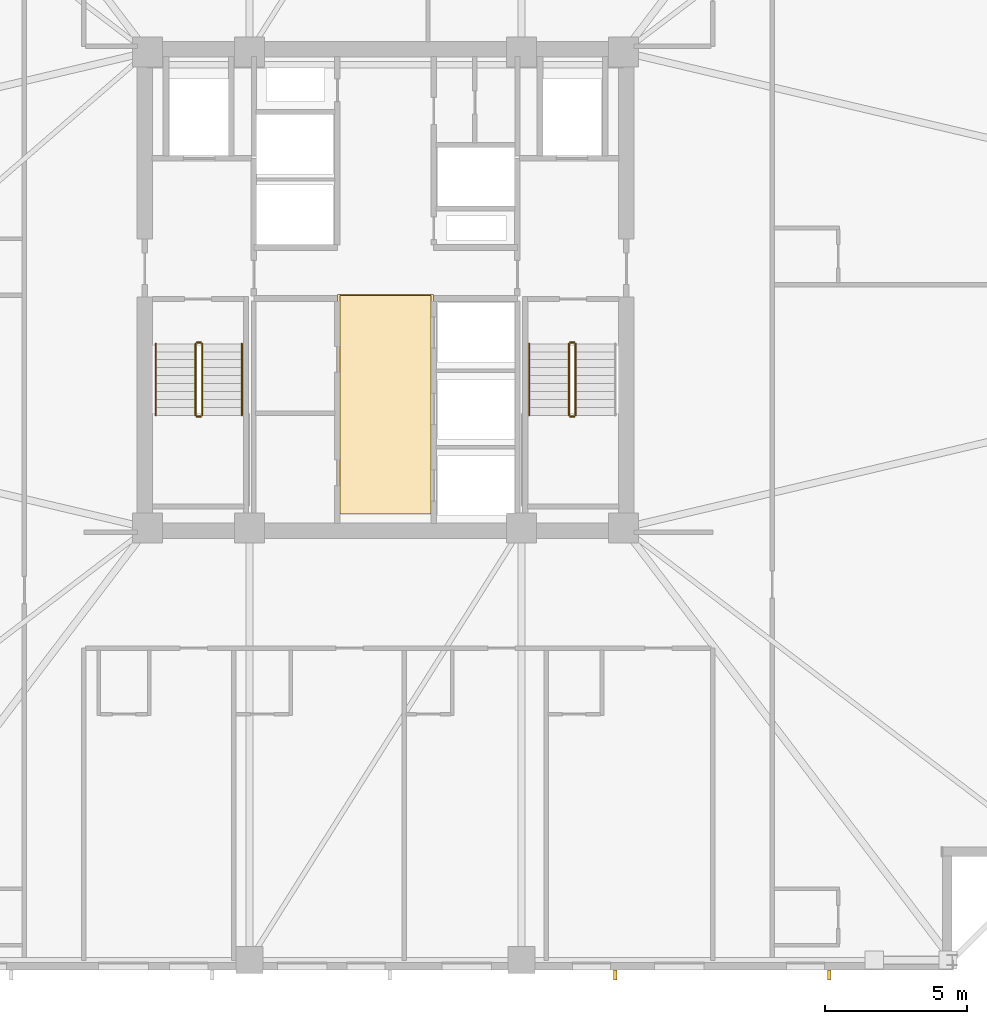
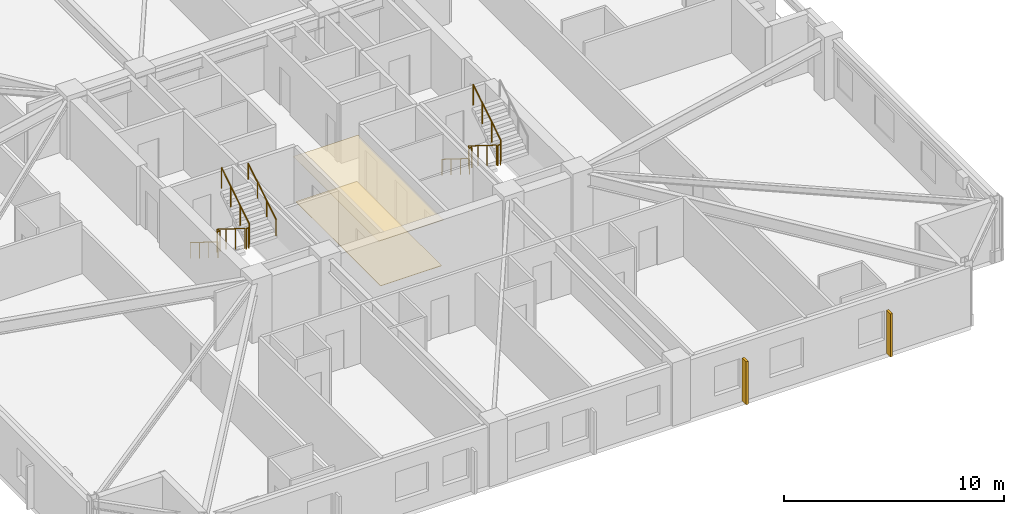
# One storey, part 8 of 11: 11 railings, 2 coverings, 2 shading devices.
"""IFC4 building model written with IfcOpenShell, lengths in metres."""

from ifc_helpers import new_model, si_unit, direction, frame, origin, origin_2d, place, context, subcontext, project, spatial, polyline, rectangle, circle, outline, extrude, material, layer, layer_set, type_object, element, save


model = new_model("IFC4")

# Units and contexts
model_context = context("Model", 3, precision=1e-05, world=origin(), true_north=direction((0.0, 1.0)))
body_context = subcontext(model_context, "Body", "Model", "MODEL_VIEW")
ifc_project = project(units=[si_unit("LENGTHUNIT", "METRE"), si_unit("AREAUNIT", "SQUARE_METRE"), si_unit("VOLUMEUNIT", "CUBIC_METRE"), si_unit("PLANEANGLEUNIT", "RADIAN"), si_unit("MASSUNIT", "GRAM", prefix="KILO")], contexts=[model_context])

# Site, building, storey
site_placement = place(None, origin())
site = spatial("IfcSite", under=ifc_project, at=site_placement, CompositionType="ELEMENT")
building_placement = place(site_placement, origin())
building = spatial("IfcBuilding", under=site, at=building_placement, Name="Cairnveth Concourse Tower", CompositionType="ELEMENT")
storey_placement = place(building_placement, frame((0.0, 0.0, 190.0)))
storey = spatial("IfcBuildingStorey", under=building, at=storey_placement, Name="L52", CompositionType="ELEMENT", Elevation=190.0)

# Covering
ifc_material_1 = material(Name="Acoustic Mineral Fibre Ceiling", Category="gypsum")
ifc_layer_1 = layer(ifc_material_1, 0.02490234375)
ifc_layer_set_1 = layer_set([ifc_layer_1], Name="Acoustic Mineral Fibre Ceiling")
covering_type_1 = type_object("IfcCoveringType", Name="ACOUSTIC MINERAL FIBRE CEILING 25", PredefinedType="CEILING", material=ifc_layer_set_1)
covering_1_placement = place(storey_placement, frame((0.0, 0.0, 2.5)))
element("IfcCovering", 1, at=covering_1_placement, inside=storey, type_object=covering_type_1, Name="Lift Lobby Acoustic Ceiling L52", PredefinedType="CEILING", context=body_context, shape_type="SweptSolid", body=[
    extrude(outline(polyline([(50.300048828125, 31.10009765625), (53.699951171875, 31.10009765625), (53.699951171875, 38.85009765625), (50.300048828125, 38.85009765625), (50.300048828125, 31.10009765625)])), origin(), (0.0, 0.0, 1.0), 0.02490234375),
])

# Shading devices
ifc_material_2 = material(Name="Architectural Bronze Anodised Aluminium 6063-T6", Category="aluminium")
shading_device_type = type_object("IfcShadingDeviceType", Name="GOTHIC BRONZE VERTICAL LANCET FIN", PredefinedType="USERDEFINED", material=ifc_material_2)
for number, where, z_axis, x_axis, name in (
    (2, (67.658203125, 14.824951171875, 0.030029296875), (0.0, 0.0, 1.0), (1.0, 0.0, 0.0), "Gothic Bronze Vertical Fin L52-3-1"),
    (3, (60.10107421875, 14.824951171875, 0.030029296875), (0.0, 0.0, 1.0), (1.0, 0.0, 0.0), "Gothic Bronze Vertical Fin L52-3-3"),
):
    element("IfcShadingDevice", number, at=place(storey_placement, frame(where, z_axis=z_axis, x_axis=x_axis)), inside=storey, type_object=shading_device_type, Name=name, ObjectType="VERTICAL FIN", PredefinedType="USERDEFINED", context=body_context, shape_type="SweptSolid", body=[
        extrude(rectangle(XDim=0.1201171875, YDim=0.360107421875, at=origin_2d()), origin(), (0.0, 0.0, 1.0), 2.3798828125),
    ])

# Railings
ifc_material_3 = material(Name="Steel Grade 350", Category="steel")
railing_type_1 = type_object("IfcRailingType", Name="STAIR GUARDRAIL 1150", PredefinedType="GUARDRAIL", material=ifc_material_3)
railing_1_placement = place(storey_placement, frame((45.2900390625, 37.10009765625, 0.175048828125)))
element("IfcRailing", 4, at=railing_1_placement, inside=storey, type_object=railing_type_1, Name="L52 ST-1 stair guard 1", PredefinedType="GUARDRAIL", context=body_context, shape_type="SweptSolid", body=[
    extrude(circle(Radius=0.02392578125, at=origin_2d()), frame((0.0, 0.0, 1.1259765625), z_axis=(0.0, -0.848007534815, 0.529984170421), x_axis=(1.0, 0.0, 0.0)), (0.0, 0.0, 1.0), 2.9716796875),
    extrude(circle(Radius=0.02099609375, at=origin_2d()), origin(), (0.0, 0.0, 1.0), 1.101806640625),
    extrude(circle(Radius=0.02099609375, at=origin_2d()), frame((0.0, -0.840087890625, 0.52490234375)), (0.0, 0.0, 1.0), 1.101806640625),
    extrude(circle(Radius=0.02099609375, at=origin_2d()), frame((0.0, -1.679931640625, 1.050048828125)), (0.0, 0.0, 1.0), 1.101806640625),
    extrude(circle(Radius=0.02099609375, at=origin_2d()), frame((0.0, -2.52001953125, 1.574951171875)), (0.0, 0.0, 1.0), 1.101806640625),
])
railing_2_placement = place(storey_placement, frame((45.340087890625, 34.530029296875, 1.75)))
element("IfcRailing", 5, at=railing_2_placement, inside=storey, type_object=railing_type_1, Name="L52 ST-1 stair guard 2", PredefinedType="GUARDRAIL", context=body_context, shape_type="SweptSolid", body=[
    extrude(circle(Radius=0.02392578125, at=origin_2d()), frame((0.0, 0.0, 1.1259765625), z_axis=(1.0, 0.0, 0.0), x_axis=(0.0, 1.0, 0.0)), (0.0, 0.0, 1.0), 0.139892578125),
    extrude(circle(Radius=0.02099609375, at=origin_2d()), origin(), (0.0, 0.0, 1.0), 1.101806640625),
    extrude(circle(Radius=0.02099609375, at=origin_2d()), frame((0.139892578125, 0.0, 0.0)), (0.0, 0.0, 1.0), 1.101806640625),
])
railing_3_placement = place(storey_placement, frame((45.530029296875, 34.580078125, 1.925048828125)))
element("IfcRailing", 6, at=railing_3_placement, inside=storey, type_object=railing_type_1, Name="L52 ST-1 stair guard 3", PredefinedType="GUARDRAIL", context=body_context, shape_type="SweptSolid", body=[
    extrude(circle(Radius=0.02392578125, at=origin_2d()), frame((0.0, 0.0, 1.1259765625), z_axis=(0.0, 0.848007534815, 0.529984170421), x_axis=(-1.0, 0.0, 0.0)), (0.0, 0.0, 1.0), 2.9716796875),
    extrude(circle(Radius=0.02099609375, at=origin_2d()), origin(), (0.0, 0.0, 1.0), 1.101806640625),
    extrude(circle(Radius=0.02099609375, at=origin_2d()), frame((0.0, 0.840087890625, 0.52490234375)), (0.0, 0.0, 1.0), 1.101806640625),
    extrude(circle(Radius=0.02099609375, at=origin_2d()), frame((0.0, 1.679931640625, 1.050048828125)), (0.0, 0.0, 1.0), 1.101806640625),
    extrude(circle(Radius=0.02099609375, at=origin_2d()), frame((0.0, 2.52001953125, 1.574951171875)), (0.0, 0.0, 1.0), 1.101806640625),
])
railing_4_placement = place(storey_placement, frame((45.340087890625, 37.14990234375, 0.0)))
element("IfcRailing", 7, at=railing_4_placement, inside=storey, type_object=railing_type_1, Name="L52 ST-1 stair guard 4", PredefinedType="GUARDRAIL", context=body_context, shape_type="SweptSolid", body=[
    extrude(circle(Radius=0.02392578125, at=origin_2d()), frame((0.0, 0.0, 1.1259765625), z_axis=(1.0, 0.0, 0.0), x_axis=(0.0, 1.0, 0.0)), (0.0, 0.0, 1.0), 0.139892578125),
    extrude(circle(Radius=0.02099609375, at=origin_2d()), origin(), (0.0, 0.0, 1.0), 1.101806640625),
    extrude(circle(Radius=0.02099609375, at=origin_2d()), frame((0.139892578125, 0.0, 0.0)), (0.0, 0.0, 1.0), 1.101806640625),
])
railing_5_placement = place(storey_placement, frame((58.469970703125, 37.10009765625, 0.175048828125)))
element("IfcRailing", 8, at=railing_5_placement, inside=storey, type_object=railing_type_1, Name="L52 ST-2 stair guard 1", PredefinedType="GUARDRAIL", context=body_context, shape_type="SweptSolid", body=[
    extrude(circle(Radius=0.02392578125, at=origin_2d()), frame((0.0, 0.0, 1.1259765625), z_axis=(0.0, -0.848007534815, 0.529984170421), x_axis=(1.0, 0.0, 0.0)), (0.0, 0.0, 1.0), 2.9716796875),
    extrude(circle(Radius=0.02099609375, at=origin_2d()), origin(), (0.0, 0.0, 1.0), 1.101806640625),
    extrude(circle(Radius=0.02099609375, at=origin_2d()), frame((0.0, -0.840087890625, 0.52490234375)), (0.0, 0.0, 1.0), 1.101806640625),
    extrude(circle(Radius=0.02099609375, at=origin_2d()), frame((0.0, -1.679931640625, 1.050048828125)), (0.0, 0.0, 1.0), 1.101806640625),
    extrude(circle(Radius=0.02099609375, at=origin_2d()), frame((0.0, -2.52001953125, 1.574951171875)), (0.0, 0.0, 1.0), 1.101806640625),
])
railing_6_placement = place(storey_placement, frame((58.52001953125, 34.530029296875, 1.75)))
element("IfcRailing", 9, at=railing_6_placement, inside=storey, type_object=railing_type_1, Name="L52 ST-2 stair guard 2", PredefinedType="GUARDRAIL", context=body_context, shape_type="SweptSolid", body=[
    extrude(circle(Radius=0.02392578125, at=origin_2d()), frame((0.0, 0.0, 1.1259765625), z_axis=(1.0, 0.0, 0.0), x_axis=(0.0, 1.0, 0.0)), (0.0, 0.0, 1.0), 0.139892578125),
    extrude(circle(Radius=0.02099609375, at=origin_2d()), origin(), (0.0, 0.0, 1.0), 1.101806640625),
    extrude(circle(Radius=0.02099609375, at=origin_2d()), frame((0.139892578125, 0.0, 0.0)), (0.0, 0.0, 1.0), 1.101806640625),
])
railing_7_placement = place(storey_placement, frame((58.7099609375, 34.580078125, 1.925048828125)))
element("IfcRailing", 10, at=railing_7_placement, inside=storey, type_object=railing_type_1, Name="L52 ST-2 stair guard 3", PredefinedType="GUARDRAIL", context=body_context, shape_type="SweptSolid", body=[
    extrude(circle(Radius=0.02392578125, at=origin_2d()), frame((0.0, 0.0, 1.1259765625), z_axis=(0.0, 0.848007534815, 0.529984170421), x_axis=(-1.0, 0.0, 0.0)), (0.0, 0.0, 1.0), 2.9716796875),
    extrude(circle(Radius=0.02099609375, at=origin_2d()), origin(), (0.0, 0.0, 1.0), 1.101806640625),
    extrude(circle(Radius=0.02099609375, at=origin_2d()), frame((0.0, 0.840087890625, 0.52490234375)), (0.0, 0.0, 1.0), 1.101806640625),
    extrude(circle(Radius=0.02099609375, at=origin_2d()), frame((0.0, 1.679931640625, 1.050048828125)), (0.0, 0.0, 1.0), 1.101806640625),
    extrude(circle(Radius=0.02099609375, at=origin_2d()), frame((0.0, 2.52001953125, 1.574951171875)), (0.0, 0.0, 1.0), 1.101806640625),
])
railing_8_placement = place(storey_placement, frame((58.52001953125, 37.14990234375, 0.0)))
element("IfcRailing", 11, at=railing_8_placement, inside=storey, type_object=railing_type_1, Name="L52 ST-2 stair guard 4", PredefinedType="GUARDRAIL", context=body_context, shape_type="SweptSolid", body=[
    extrude(circle(Radius=0.02392578125, at=origin_2d()), frame((0.0, 0.0, 1.1259765625), z_axis=(1.0, 0.0, 0.0), x_axis=(0.0, 1.0, 0.0)), (0.0, 0.0, 1.0), 0.139892578125),
    extrude(circle(Radius=0.02099609375, at=origin_2d()), origin(), (0.0, 0.0, 1.0), 1.101806640625),
    extrude(circle(Radius=0.02099609375, at=origin_2d()), frame((0.139892578125, 0.0, 0.0)), (0.0, 0.0, 1.0), 1.101806640625),
])
railing_type_2 = type_object("IfcRailingType", Name="STAIR WALL HANDRAIL 900", PredefinedType="HANDRAIL", material=ifc_material_3)
railing_9_placement = place(storey_placement, frame((43.889892578125, 37.10009765625, 0.175048828125)))
element("IfcRailing", 12, at=railing_9_placement, inside=storey, type_object=railing_type_2, Name="L52 ST-1 stair handrail 1", PredefinedType="HANDRAIL", context=body_context, shape_type="SweptSolid", body=[
    extrude(circle(Radius=0.02392578125, at=origin_2d()), frame((0.0, 0.0, 0.8759765625), z_axis=(0.0, -0.848007534815, 0.529984170421), x_axis=(1.0, 0.0, 0.0)), (0.0, 0.0, 1.0), 2.9716796875),
    extrude(circle(Radius=0.02099609375, at=origin_2d()), origin(), (0.0, 0.0, 1.0), 0.851806640625),
    extrude(circle(Radius=0.02099609375, at=origin_2d()), frame((0.0, -0.840087890625, 0.52490234375)), (0.0, 0.0, 1.0), 0.851806640625),
    extrude(circle(Radius=0.02099609375, at=origin_2d()), frame((0.0, -1.679931640625, 1.050048828125)), (0.0, 0.0, 1.0), 0.851806640625),
    extrude(circle(Radius=0.02099609375, at=origin_2d()), frame((0.0, -2.52001953125, 1.574951171875)), (0.0, 0.0, 1.0), 0.851806640625),
])
railing_10_placement = place(storey_placement, frame((46.929931640625, 34.580078125, 1.925048828125)))
element("IfcRailing", 13, at=railing_10_placement, inside=storey, type_object=railing_type_2, Name="L52 ST-1 stair handrail 2", PredefinedType="HANDRAIL", context=body_context, shape_type="SweptSolid", body=[
    extrude(circle(Radius=0.02392578125, at=origin_2d()), frame((0.0, 0.0, 0.8759765625), z_axis=(0.0, 0.848007534815, 0.529984170421), x_axis=(-1.0, 0.0, 0.0)), (0.0, 0.0, 1.0), 2.9716796875),
    extrude(circle(Radius=0.02099609375, at=origin_2d()), origin(), (0.0, 0.0, 1.0), 0.851806640625),
    extrude(circle(Radius=0.02099609375, at=origin_2d()), frame((0.0, 0.840087890625, 0.52490234375)), (0.0, 0.0, 1.0), 0.851806640625),
    extrude(circle(Radius=0.02099609375, at=origin_2d()), frame((0.0, 1.679931640625, 1.050048828125)), (0.0, 0.0, 1.0), 0.851806640625),
    extrude(circle(Radius=0.02099609375, at=origin_2d()), frame((0.0, 2.52001953125, 1.574951171875)), (0.0, 0.0, 1.0), 0.851806640625),
])
railing_11_placement = place(storey_placement, frame((57.070068359375, 37.10009765625, 0.175048828125)))
element("IfcRailing", 14, at=railing_11_placement, inside=storey, type_object=railing_type_2, Name="L52 ST-2 stair handrail 1", PredefinedType="HANDRAIL", context=body_context, shape_type="SweptSolid", body=[
    extrude(circle(Radius=0.02392578125, at=origin_2d()), frame((0.0, 0.0, 0.8759765625), z_axis=(0.0, -0.848007534815, 0.529984170421), x_axis=(1.0, 0.0, 0.0)), (0.0, 0.0, 1.0), 2.9716796875),
    extrude(circle(Radius=0.02099609375, at=origin_2d()), origin(), (0.0, 0.0, 1.0), 0.851806640625),
    extrude(circle(Radius=0.02099609375, at=origin_2d()), frame((0.0, -0.840087890625, 0.52490234375)), (0.0, 0.0, 1.0), 0.851806640625),
    extrude(circle(Radius=0.02099609375, at=origin_2d()), frame((0.0, -1.679931640625, 1.050048828125)), (0.0, 0.0, 1.0), 0.851806640625),
    extrude(circle(Radius=0.02099609375, at=origin_2d()), frame((0.0, -2.52001953125, 1.574951171875)), (0.0, 0.0, 1.0), 0.851806640625),
])

# Covering
ifc_material_4 = material(Name="Vitrified Stoneware Tile Flooring", Category="masonry")
ifc_layer_2 = layer(ifc_material_4, 0.02001953125)
ifc_layer_set_2 = layer_set([ifc_layer_2], Name="Vitrified Stoneware Tile Flooring")
covering_type_2 = type_object("IfcCoveringType", Name="VITRIFIED STONEWARE LOBBY FLOORING 20", PredefinedType="FLOORING", material=ifc_layer_set_2)
covering_2_placement = place(storey_placement, origin())
element("IfcCovering", 15, at=covering_2_placement, inside=storey, type_object=covering_type_2, Name="Lift Lobby Stoneware Flooring L52", PredefinedType="FLOORING", context=body_context, shape_type="SweptSolid", body=[
    extrude(outline(polyline([(50.39990234375, 31.10009765625), (53.60009765625, 31.10009765625), (53.60009765625, 38.800048828125), (50.39990234375, 38.800048828125), (50.39990234375, 31.10009765625)])), origin(), (0.0, 0.0, 1.0), 0.02001953125),
])

save(model, "model.ifc")
